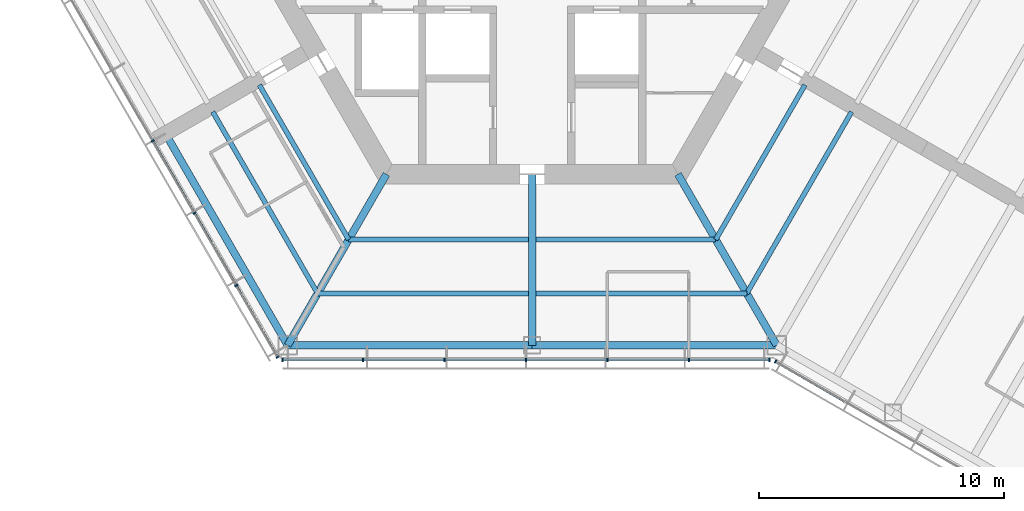
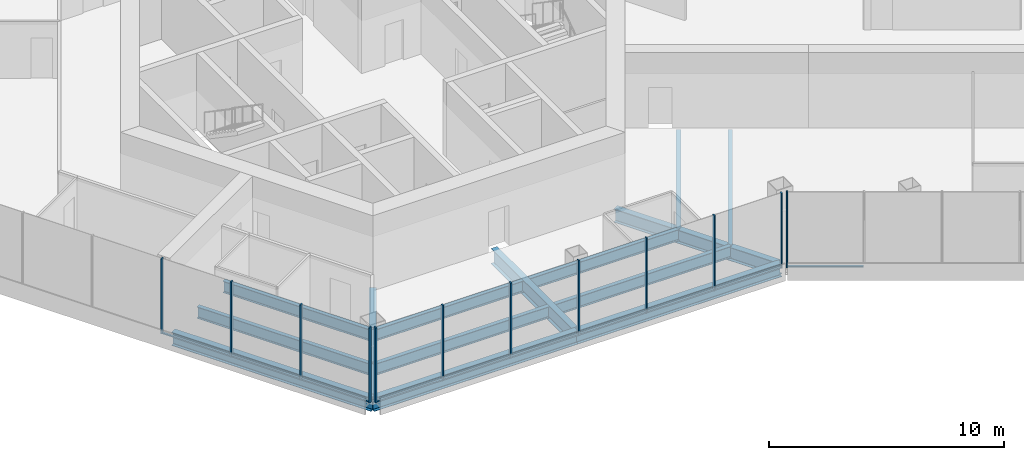
# One storey, part 2 of 15: 22 members, 14 beams, 3 elements without a shape of their own.
"""IFC4 building model written with IfcOpenShell, lengths in metres."""

from ifc_helpers import new_model, si_unit, direction, frame, origin, origin_2d, place, context, subcontext, project, spatial, rectangle, i_section, extrude, material, material_profile, profile_set, type_object, element, aggregate, save


model = new_model("IFC4")

# Units and contexts
model_context = context("Model", 3, precision=1e-05, world=origin(), true_north=direction((0.0, 1.0)))
body_context = subcontext(model_context, "Body", "Model", "MODEL_VIEW")
ifc_project = project(units=[si_unit("LENGTHUNIT", "METRE"), si_unit("AREAUNIT", "SQUARE_METRE"), si_unit("VOLUMEUNIT", "CUBIC_METRE"), si_unit("PLANEANGLEUNIT", "RADIAN"), si_unit("MASSUNIT", "GRAM", prefix="KILO")], contexts=[model_context])

# Site, building, storey
site_placement = place(None, origin())
site = spatial("IfcSite", under=ifc_project, at=site_placement, CompositionType="ELEMENT")
building_placement = place(site_placement, origin())
building = spatial("IfcBuilding", under=site, at=building_placement, Name="Kasaneha Research Tower", CompositionType="ELEMENT")
storey_placement = place(building_placement, frame((0.0, 0.0, 236.199951171875)))
storey = spatial("IfcBuildingStorey", under=building, at=storey_placement, Name="L59", CompositionType="ELEMENT", Elevation=236.199951171875)

# Beams
ifc_material_1 = material(Name="Steel SN490B", Category="steel")
ifc_material_profile_1 = material_profile(ifc_material_1, i_section(OverallWidth=0.199951171875, OverallDepth=0.60009765625, WebThickness=0.010986328125, FlangeThickness=0.01708984375, FilletRadius=0.012939453125, at=origin_2d()), Name="H-600x200x11x17")
ifc_profile_set_1 = profile_set([ifc_material_profile_1], Name="Steel SN490B")
beam_type_1 = type_object("IfcBeamType", Name="B1-3 secondary beam H-600x200x11x17", PredefinedType="JOIST", material=ifc_profile_set_1)
beam_1_placement = place(storey_placement, frame((-7.505615234375, -13.0, -0.449951171875), z_axis=(-0.499999192304, 0.866025870108, 0.0), x_axis=(-0.866025870108, -0.499999192304, 0.0)))
element("IfcBeam", 1, at=beam_1_placement, inside=storey, type_object=beam_type_1, Name="Secondary beam RS210R1 L59", PredefinedType="JOIST", context=body_context, shape_type="SweptSolid", body=[
    extrude(i_section(OverallWidth=0.199951171875, OverallDepth=0.60009765625, WebThickness=0.010986328125, FlangeThickness=0.01708984375, FilletRadius=0.012939453125, at=origin_2d()), origin(), (0.0, 0.0, 1.0), 7.3056640625),
])
beam_2_placement = place(storey_placement, frame((-8.775634765625, -15.199951171875, -0.449951171875), z_axis=(-0.500000102728, 0.866025344474, 0.0), x_axis=(-0.866025344474, -0.500000102728, 0.0)))
element("IfcBeam", 2, at=beam_2_placement, inside=storey, type_object=beam_type_1, Name="Secondary beam RS210R2 L59", PredefinedType="JOIST", context=body_context, shape_type="SweptSolid", body=[
    extrude(i_section(OverallWidth=0.199951171875, OverallDepth=0.60009765625, WebThickness=0.010986328125, FlangeThickness=0.01708984375, FilletRadius=0.012939453125, at=origin_2d()), origin(), (0.0, 0.0, 1.0), 8.57568359375),
])
beam_3_placement = place(storey_placement, frame((-7.505615234375, -13.0, -0.449951171875), z_axis=(1.0, 0.0, 0.0), x_axis=(0.0, 1.0, 0.0)))
element("IfcBeam", 3, at=beam_3_placement, inside=storey, type_object=beam_type_1, Name="Secondary beam RS270L1 L59", PredefinedType="JOIST", context=body_context, shape_type="SweptSolid", body=[
    extrude(i_section(OverallWidth=0.199951171875, OverallDepth=0.60009765625, WebThickness=0.010986328125, FlangeThickness=0.01708984375, FilletRadius=0.012939453125, at=origin_2d()), origin(), (0.0, 0.0, 1.0), 7.355712890625),
])
beam_4_placement = place(storey_placement, frame((-8.775634765625, -15.199951171875, -0.449951171875), z_axis=(1.0, 0.0, 0.0), x_axis=(0.0, 1.0, 0.0)))
element("IfcBeam", 4, at=beam_4_placement, inside=storey, type_object=beam_type_1, Name="Secondary beam RS270L2 L59", PredefinedType="JOIST", context=body_context, shape_type="SweptSolid", body=[
    extrude(i_section(OverallWidth=0.199951171875, OverallDepth=0.60009765625, WebThickness=0.010986328125, FlangeThickness=0.01708984375, FilletRadius=0.012939453125, at=origin_2d()), origin(), (0.0, 0.0, 1.0), 8.625732421875),
])
beam_5_placement = place(storey_placement, frame((7.505615234375, -13.0, -0.449951171875), z_axis=(-1.0, 0.0, 0.0), x_axis=(0.0, -1.0, 0.0)))
element("IfcBeam", 5, at=beam_5_placement, inside=storey, type_object=beam_type_1, Name="Secondary beam RS270R1 L59", PredefinedType="JOIST", context=body_context, shape_type="SweptSolid", body=[
    extrude(i_section(OverallWidth=0.199951171875, OverallDepth=0.60009765625, WebThickness=0.010986328125, FlangeThickness=0.01708984375, FilletRadius=0.012939453125, at=origin_2d()), origin(), (0.0, 0.0, 1.0), 7.355712890625),
])
beam_6_placement = place(storey_placement, frame((8.775634765625, -15.199951171875, -0.449951171875), z_axis=(-1.0, 0.0, 0.0), x_axis=(0.0, -1.0, 0.0)))
element("IfcBeam", 6, at=beam_6_placement, inside=storey, type_object=beam_type_1, Name="Secondary beam RS270R2 L59", PredefinedType="JOIST", context=body_context, shape_type="SweptSolid", body=[
    extrude(i_section(OverallWidth=0.199951171875, OverallDepth=0.60009765625, WebThickness=0.010986328125, FlangeThickness=0.01708984375, FilletRadius=0.012939453125, at=origin_2d()), origin(), (0.0, 0.0, 1.0), 8.625732421875),
])
beam_7_placement = place(storey_placement, frame((7.505615234375, -13.0, -0.449951171875), z_axis=(0.499999192304, 0.866025870108, 0.0), x_axis=(-0.866025870108, 0.499999192304, 0.0)))
element("IfcBeam", 7, at=beam_7_placement, inside=storey, type_object=beam_type_1, Name="Secondary beam RS330L1 L59", PredefinedType="JOIST", context=body_context, shape_type="SweptSolid", body=[
    extrude(i_section(OverallWidth=0.199951171875, OverallDepth=0.60009765625, WebThickness=0.010986328125, FlangeThickness=0.01708984375, FilletRadius=0.012939453125, at=origin_2d()), origin(), (0.0, 0.0, 1.0), 7.3056640625),
])
beam_8_placement = place(storey_placement, frame((8.775634765625, -15.199951171875, -0.449951171875), z_axis=(0.500000102728, 0.866025344474, 0.0), x_axis=(-0.866025344474, 0.500000102728, 0.0)))
element("IfcBeam", 8, at=beam_8_placement, inside=storey, type_object=beam_type_1, Name="Secondary beam RS330L2 L59", PredefinedType="JOIST", context=body_context, shape_type="SweptSolid", body=[
    extrude(i_section(OverallWidth=0.199951171875, OverallDepth=0.60009765625, WebThickness=0.010986328125, FlangeThickness=0.01708984375, FilletRadius=0.012939453125, at=origin_2d()), origin(), (0.0, 0.0, 1.0), 8.57568359375),
])

# Curtain wall, members
ifc_material_2 = material(Name="Glass and aluminium", Category="aluminium")
curtain_wall_type = type_object("IfcCurtainWallType", Name="High-rise office curtain wall", PredefinedType="USERDEFINED", material=ifc_material_2)
curtain_wall_1_placement = place(storey_placement, origin())
curtain_wall_1 = element("IfcCurtainWall", 9, at=curtain_wall_1_placement, inside=storey, type_object=curtain_wall_type, Name="CW-O3 L59 run 04a", ObjectType="UNITISED CURTAIN WALL", PredefinedType="USERDEFINED")
ifc_material_3 = material(Name="Aluminium 6063-T6", Category="aluminium")
ifc_material_profile_2 = material_profile(ifc_material_3, rectangle(XDim=0.06005859375, YDim=0.139892578125, at=origin_2d()), Name="CW-O3 mullion 60x140")
ifc_profile_set_2 = profile_set([ifc_material_profile_2], Name="Aluminium 6063-T6")
member_type_1 = type_object("IfcMemberType", Name="CW-O3 mullion", PredefinedType="MULLION", material=ifc_profile_set_2)
member_1_placement = place(storey_placement, frame((-15.51953125, -8.960205078125, 0.0), z_axis=(0.0, 0.0, 1.0), x_axis=(0.499999995722, -0.866025406254, 0.0)))
member_1 = element("IfcMember", 10, at=member_1_placement, type_object=member_type_1, Name="CW-O3 mullion 4", PredefinedType="MULLION", context=body_context, shape_type="SweptSolid", body=[
    extrude(rectangle(XDim=0.06005859375, YDim=0.139892578125, at=origin_2d()), origin(), (0.0, 0.0, 1.0), 3.900146484375),
])
member_2_placement = place(storey_placement, frame((-13.811767578125, -11.918212890625, 0.0), z_axis=(0.0, 0.0, 1.0), x_axis=(0.499999995722, -0.866025406254, 0.0)))
member_2 = element("IfcMember", 11, at=member_2_placement, type_object=member_type_1, Name="CW-O3 mullion 5", PredefinedType="MULLION", context=body_context, shape_type="SweptSolid", body=[
    extrude(rectangle(XDim=0.06005859375, YDim=0.139892578125, at=origin_2d()), origin(), (0.0, 0.0, 1.0), 3.900146484375),
])
member_3_placement = place(storey_placement, frame((-12.104248046875, -14.8759765625, 0.0), z_axis=(0.0, 0.0, 1.0), x_axis=(0.499999995722, -0.866025406254, 0.0)))
member_3 = element("IfcMember", 12, at=member_3_placement, type_object=member_type_1, Name="CW-O3 mullion 6", PredefinedType="MULLION", context=body_context, shape_type="SweptSolid", body=[
    extrude(rectangle(XDim=0.06005859375, YDim=0.139892578125, at=origin_2d()), origin(), (0.0, 0.0, 1.0), 3.900146484375),
])
member_4_placement = place(storey_placement, frame((-10.411376953125, -17.807861328125, 0.0), z_axis=(0.0, 0.0, 1.0), x_axis=(0.499999995722, -0.866025406254, 0.0)))
member_4 = element("IfcMember", 13, at=member_4_placement, type_object=member_type_1, Name="CW-O3 mullion 7", PredefinedType="MULLION", context=body_context, shape_type="SweptSolid", body=[
    extrude(rectangle(XDim=0.06005859375, YDim=0.139892578125, at=origin_2d()), origin(), (0.0, 0.0, 1.0), 3.900146484375),
])

curtain_wall_2_placement = place(storey_placement, origin())
curtain_wall_2 = element("IfcCurtainWall", 14, at=curtain_wall_2_placement, inside=storey, type_object=curtain_wall_type, Name="CW-O3 L59 run 05a", ObjectType="UNITISED CURTAIN WALL", PredefinedType="USERDEFINED")
member_5_placement = place(storey_placement, frame((-10.21630859375, -17.92041015625, 0.0), z_axis=(0.0, 0.0, 1.0), x_axis=(1.0, 0.0, 0.0)))
member_5 = element("IfcMember", 15, at=member_5_placement, type_object=member_type_1, Name="CW-O3 mullion 1", PredefinedType="MULLION", context=body_context, shape_type="SweptSolid", body=[
    extrude(rectangle(XDim=0.06005859375, YDim=0.139892578125, at=origin_2d()), origin(), (0.0, 0.0, 1.0), 3.900146484375),
])
member_6_placement = place(storey_placement, frame((-6.91552734375, -17.92041015625, 0.0), z_axis=(0.0, 0.0, 1.0), x_axis=(1.0, 0.0, 0.0)))
member_6 = element("IfcMember", 16, at=member_6_placement, type_object=member_type_1, Name="CW-O3 mullion 2", PredefinedType="MULLION", context=body_context, shape_type="SweptSolid", body=[
    extrude(rectangle(XDim=0.06005859375, YDim=0.139892578125, at=origin_2d()), origin(), (0.0, 0.0, 1.0), 3.900146484375),
])
member_7_placement = place(storey_placement, frame((-3.58447265625, -17.92041015625, 0.0), z_axis=(0.0, 0.0, 1.0), x_axis=(1.0, 0.0, 0.0)))
member_7 = element("IfcMember", 17, at=member_7_placement, type_object=member_type_1, Name="CW-O3 mullion 3", PredefinedType="MULLION", context=body_context, shape_type="SweptSolid", body=[
    extrude(rectangle(XDim=0.06005859375, YDim=0.139892578125, at=origin_2d()), origin(), (0.0, 0.0, 1.0), 3.900146484375),
])
member_8_placement = place(storey_placement, frame((-0.253662109375, -17.92041015625, 0.0), z_axis=(0.0, 0.0, 1.0), x_axis=(1.0, 0.0, 0.0)))
member_8 = element("IfcMember", 18, at=member_8_placement, type_object=member_type_1, Name="CW-O3 mullion 4", PredefinedType="MULLION", context=body_context, shape_type="SweptSolid", body=[
    extrude(rectangle(XDim=0.06005859375, YDim=0.139892578125, at=origin_2d()), origin(), (0.0, 0.0, 1.0), 3.900146484375),
])
member_9_placement = place(storey_placement, frame((3.077392578125, -17.92041015625, 0.0), z_axis=(0.0, 0.0, 1.0), x_axis=(1.0, 0.0, 0.0)))
member_9 = element("IfcMember", 19, at=member_9_placement, type_object=member_type_1, Name="CW-O3 mullion 5", PredefinedType="MULLION", context=body_context, shape_type="SweptSolid", body=[
    extrude(rectangle(XDim=0.06005859375, YDim=0.139892578125, at=origin_2d()), origin(), (0.0, 0.0, 1.0), 3.900146484375),
])
member_10_placement = place(storey_placement, frame((6.408203125, -17.92041015625, 0.0), z_axis=(0.0, 0.0, 1.0), x_axis=(1.0, 0.0, 0.0)))
member_10 = element("IfcMember", 20, at=member_10_placement, type_object=member_type_1, Name="CW-O3 mullion 6", PredefinedType="MULLION", context=body_context, shape_type="SweptSolid", body=[
    extrude(rectangle(XDim=0.06005859375, YDim=0.139892578125, at=origin_2d()), origin(), (0.0, 0.0, 1.0), 3.900146484375),
])
member_11_placement = place(storey_placement, frame((9.709228515625, -17.92041015625, 0.0), z_axis=(0.0, 0.0, 1.0), x_axis=(1.0, 0.0, 0.0)))
member_11 = element("IfcMember", 21, at=member_11_placement, type_object=member_type_1, Name="CW-O3 mullion 7", PredefinedType="MULLION", context=body_context, shape_type="SweptSolid", body=[
    extrude(rectangle(XDim=0.06005859375, YDim=0.139892578125, at=origin_2d()), origin(), (0.0, 0.0, 1.0), 3.900146484375),
])

# Curtain wall, member
curtain_wall_3_placement = place(storey_placement, origin())
curtain_wall_3 = element("IfcCurtainWall", 22, at=curtain_wall_3_placement, inside=storey, type_object=curtain_wall_type, Name="CW-O3 L59 run 06a", ObjectType="UNITISED CURTAIN WALL", PredefinedType="USERDEFINED")
member_12_placement = place(storey_placement, frame((9.951904296875, -17.985595703125, 0.0), z_axis=(0.0, 0.0, 1.0), x_axis=(0.866025411464, -0.499999986699, 0.0)))
member_12 = element("IfcMember", 23, at=member_12_placement, type_object=member_type_1, Name="CW-O3 mullion 1", PredefinedType="MULLION", context=body_context, shape_type="SweptSolid", body=[
    extrude(rectangle(XDim=0.06005859375, YDim=0.139892578125, at=origin_2d()), origin(), (0.0, 0.0, 1.0), 3.900146484375),
])

# Member
ifc_material_4 = material(Name="Aluminium 6063-T6", Category="aluminium")
ifc_material_profile_3 = material_profile(ifc_material_4, rectangle(XDim=0.10009765625, YDim=0.06005859375, at=origin_2d()), Name="CW-O3 transom 100x60")
ifc_profile_set_3 = profile_set([ifc_material_profile_3], Name="Aluminium 6063-T6")
member_type_2 = type_object("IfcMemberType", Name="CW-O3 transom", PredefinedType="USERDEFINED", material=ifc_profile_set_3)
member_13_placement = place(storey_placement, frame((-15.504638671875, -8.986328125, 0.030029296875), z_axis=(0.500020578564, -0.866013522419, 0.0), x_axis=(0.866013522419, 0.500020578564, 0.0)))
member_13 = element("IfcMember", 24, at=member_13_placement, type_object=member_type_2, Name="CW-O3 transom 4", ObjectType="TRANSOM", PredefinedType="USERDEFINED", context=body_context, shape_type="SweptSolid", body=[
    extrude(rectangle(XDim=0.10009765625, YDim=0.06005859375, at=origin_2d()), origin(), (0.0, 0.0, 1.0), 3.355224609375),
])

member_14_placement = place(storey_placement, frame((-13.796875, -11.944091796875, 0.030029296875), z_axis=(0.499989072476, -0.866031712701, 0.0), x_axis=(0.866031712701, 0.499989072476, 0.0)))
member_14 = element("IfcMember", 25, at=member_14_placement, type_object=member_type_2, Name="CW-O3 transom 5", ObjectType="TRANSOM", PredefinedType="USERDEFINED", context=body_context, shape_type="SweptSolid", body=[
    extrude(rectangle(XDim=0.10009765625, YDim=0.06005859375, at=origin_2d()), origin(), (0.0, 0.0, 1.0), 3.35546875),
])

member_15_placement = place(storey_placement, frame((-12.089111328125, -14.902099609375, 0.030029296875), z_axis=(0.49997666526, -0.866038875684, 0.0), x_axis=(0.866038875684, 0.49997666526, 0.0)))
member_15 = element("IfcMember", 26, at=member_15_placement, type_object=member_type_2, Name="CW-O3 transom 6", ObjectType="TRANSOM", PredefinedType="USERDEFINED", context=body_context, shape_type="SweptSolid", body=[
    extrude(rectangle(XDim=0.10009765625, YDim=0.06005859375, at=origin_2d()), origin(), (0.0, 0.0, 1.0), 3.325439453125),
])

aggregate(curtain_wall_1, [member_1, member_2, member_3, member_4, member_13, member_14, member_15])

member_16_placement = place(storey_placement, frame((-10.1865234375, -17.92041015625, 0.030029296875), z_axis=(1.0, 0.0, 0.0), x_axis=(0.0, 1.0, 0.0)))
member_16 = element("IfcMember", 27, at=member_16_placement, type_object=member_type_2, Name="CW-O3 transom 1", ObjectType="TRANSOM", PredefinedType="USERDEFINED", context=body_context, shape_type="SweptSolid", body=[
    extrude(rectangle(XDim=0.10009765625, YDim=0.06005859375, at=origin_2d()), origin(), (0.0, 0.0, 1.0), 3.240966796875),
])

member_17_placement = place(storey_placement, frame((-6.885498046875, -17.92041015625, 0.030029296875), z_axis=(1.0, 0.0, 0.0), x_axis=(0.0, 1.0, 0.0)))
member_17 = element("IfcMember", 28, at=member_17_placement, type_object=member_type_2, Name="CW-O3 transom 2", ObjectType="TRANSOM", PredefinedType="USERDEFINED", context=body_context, shape_type="SweptSolid", body=[
    extrude(rectangle(XDim=0.10009765625, YDim=0.06005859375, at=origin_2d()), origin(), (0.0, 0.0, 1.0), 3.27099609375),
])

member_18_placement = place(storey_placement, frame((-3.554443359375, -17.92041015625, 0.030029296875), z_axis=(1.0, 0.0, 0.0), x_axis=(0.0, 1.0, 0.0)))
member_18 = element("IfcMember", 29, at=member_18_placement, type_object=member_type_2, Name="CW-O3 transom 3", ObjectType="TRANSOM", PredefinedType="USERDEFINED", context=body_context, shape_type="SweptSolid", body=[
    extrude(rectangle(XDim=0.10009765625, YDim=0.06005859375, at=origin_2d()), origin(), (0.0, 0.0, 1.0), 3.270751953125),
])

member_19_placement = place(storey_placement, frame((-0.2236328125, -17.92041015625, 0.030029296875), z_axis=(1.0, 0.0, 0.0), x_axis=(0.0, 1.0, 0.0)))
member_19 = element("IfcMember", 30, at=member_19_placement, type_object=member_type_2, Name="CW-O3 transom 4", ObjectType="TRANSOM", PredefinedType="USERDEFINED", context=body_context, shape_type="SweptSolid", body=[
    extrude(rectangle(XDim=0.10009765625, YDim=0.06005859375, at=origin_2d()), origin(), (0.0, 0.0, 1.0), 3.27099609375),
])

member_20_placement = place(storey_placement, frame((3.107421875, -17.92041015625, 0.030029296875), z_axis=(1.0, 0.0, 0.0), x_axis=(0.0, 1.0, 0.0)))
member_20 = element("IfcMember", 31, at=member_20_placement, type_object=member_type_2, Name="CW-O3 transom 5", ObjectType="TRANSOM", PredefinedType="USERDEFINED", context=body_context, shape_type="SweptSolid", body=[
    extrude(rectangle(XDim=0.10009765625, YDim=0.06005859375, at=origin_2d()), origin(), (0.0, 0.0, 1.0), 3.270751953125),
])

member_21_placement = place(storey_placement, frame((6.438232421875, -17.92041015625, 0.030029296875), z_axis=(1.0, 0.0, 0.0), x_axis=(0.0, 1.0, 0.0)))
member_21 = element("IfcMember", 32, at=member_21_placement, type_object=member_type_2, Name="CW-O3 transom 6", ObjectType="TRANSOM", PredefinedType="USERDEFINED", context=body_context, shape_type="SweptSolid", body=[
    extrude(rectangle(XDim=0.10009765625, YDim=0.06005859375, at=origin_2d()), origin(), (0.0, 0.0, 1.0), 3.240966796875),
])

aggregate(curtain_wall_2, [member_5, member_6, member_7, member_8, member_9, member_10, member_11, member_16, member_17, member_18, member_19, member_20, member_21])

member_22_placement = place(storey_placement, frame((9.977783203125, -18.00048828125, 0.030029296875), z_axis=(0.866022692473, -0.500004696101, 0.0), x_axis=(0.500004696101, 0.866022692473, 0.0)))
member_22 = element("IfcMember", 33, at=member_22_placement, type_object=member_type_2, Name="CW-O3 transom 1", ObjectType="TRANSOM", PredefinedType="USERDEFINED", context=body_context, shape_type="SweptSolid", body=[
    extrude(rectangle(XDim=0.10009765625, YDim=0.06005859375, at=origin_2d()), origin(), (0.0, 0.0, 1.0), 3.2197265625),
])

aggregate(curtain_wall_3, [member_12, member_22])

# Beams
ifc_material_5 = material(Name="Steel SN490B", Category="steel")
ifc_material_profile_4 = material_profile(ifc_material_5, i_section(OverallWidth=0.300048828125, OverallDepth=0.699951171875, WebThickness=0.012939453125, FlangeThickness=0.02392578125, FilletRadius=0.01806640625, at=origin_2d()), Name="H-700x300x13x24")
ifc_profile_set_4 = profile_set([ifc_material_profile_4], Name="Steel SN490B")
beam_type_2 = type_object("IfcBeamType", Name="G1-3 radial girder H-700x300x13x24", PredefinedType="BEAM", material=ifc_profile_set_4)
for number, where, z_axis, x_axis, name in (
    (34, (-5.961181640625, -10.324951171875, -0.5), (-0.49999105496, -0.866030568144, 0.0), (0.866030568144, -0.49999105496, 0.0), "Radial girder RV240 L59"),
    (35, (5.961181640625, -10.324951171875, -0.5), (0.49999105496, -0.866030568144, 0.0), (0.866030568144, 0.49999105496, 0.0), "Radial girder RV300 L59"),
):
    element("IfcBeam", number, at=place(storey_placement, frame(where, z_axis=z_axis, x_axis=x_axis)), inside=storey, type_object=beam_type_2, Name=name, PredefinedType="BEAM", context=body_context, shape_type="SweptSolid", body=[
        extrude(i_section(OverallWidth=0.300048828125, OverallDepth=0.699951171875, WebThickness=0.012939453125, FlangeThickness=0.02392578125, FilletRadius=0.01806640625, at=origin_2d()), origin(), (0.0, 0.0, 1.0), 8.077880859375),
    ])
ifc_material_6 = material(Name="Steel SN490B", Category="steel")
ifc_material_profile_5 = material_profile(ifc_material_6, i_section(OverallWidth=0.300048828125, OverallDepth=0.800048828125, WebThickness=0.013916015625, FlangeThickness=0.02587890625, FilletRadius=0.01806640625, at=origin_2d()), Name="H-800x300x14x26")
ifc_profile_set_5 = profile_set([ifc_material_profile_5], Name="Steel SN490B")
beam_type_3 = type_object("IfcBeamType", Name="G2-3 radial girder H-800x300x14x26", PredefinedType="BEAM", material=ifc_profile_set_5)
beam_9_placement = place(storey_placement, frame((0.0, -10.324951171875, -0.550048828125), z_axis=(0.0, -1.0, 0.0), x_axis=(1.0, 0.0, 0.0)))
element("IfcBeam", 36, at=beam_9_placement, inside=storey, type_object=beam_type_3, Name="Radial girder RM270 L59", PredefinedType="BEAM", context=body_context, shape_type="SweptSolid", body=[
    extrude(i_section(OverallWidth=0.300048828125, OverallDepth=0.800048828125, WebThickness=0.013916015625, FlangeThickness=0.02587890625, FilletRadius=0.01806640625, at=origin_2d()), origin(), (0.0, 0.0, 1.0), 6.99560546875),
])
ifc_material_7 = material(Name="Steel SN490B", Category="steel")
ifc_material_profile_6 = material_profile(ifc_material_7, i_section(OverallWidth=0.300048828125, OverallDepth=0.69189453125, WebThickness=0.012939453125, FlangeThickness=0.02001953125, FilletRadius=0.01806640625, at=origin_2d()), Name="H-692x300x13x20")
ifc_profile_set_6 = profile_set([ifc_material_profile_6], Name="Steel SN490B")
beam_type_4 = type_object("IfcBeamType", Name="G3-3 plate edge girder H-692x300x13x20", PredefinedType="BEAM", material=ifc_profile_set_6)
beam_10_placement = place(storey_placement, frame((-10.0, -17.320556640625, -0.495849609375), z_axis=(-0.49999201416, 0.866030014362, 0.0), x_axis=(-0.866030014362, -0.49999201416, 0.0)))
element("IfcBeam", 37, at=beam_10_placement, inside=storey, type_object=beam_type_4, Name="Plate edge girder PEBN L59", PredefinedType="BEAM", context=body_context, shape_type="SweptSolid", body=[
    extrude(i_section(OverallWidth=0.300048828125, OverallDepth=0.69189453125, WebThickness=0.012939453125, FlangeThickness=0.02001953125, FilletRadius=0.01806640625, at=origin_2d()), origin(), (0.0, 0.0, 1.0), 9.800048828125),
])
ifc_material_8 = material(Name="Steel SN490B", Category="steel")
ifc_material_profile_7 = material_profile(ifc_material_8, i_section(OverallWidth=0.300048828125, OverallDepth=0.69189453125, WebThickness=0.012939453125, FlangeThickness=0.02001953125, FilletRadius=0.01806640625, at=origin_2d()), Name="H-692x300x13x20")
ifc_profile_set_7 = profile_set([ifc_material_profile_7], Name="Steel SN490B")
beam_type_5 = type_object("IfcBeamType", Name="SB1-3 spandrel beam H-692x300x13x20", PredefinedType="SPANDREL", material=ifc_profile_set_7)
for number, where, z_axis, x_axis, name in (
    (38, (-10.0, -17.320556640625, -0.495849609375), (1.0, 0.0, 0.0), (0.0, 1.0, 0.0), "Spandrel beam SR270L L59"),
    (39, (10.0, -17.320556640625, -0.495849609375), (-1.0, 0.0, 0.0), (0.0, -1.0, 0.0), "Spandrel beam SR270R L59"),
):
    element("IfcBeam", number, at=place(storey_placement, frame(where, z_axis=z_axis, x_axis=x_axis)), inside=storey, type_object=beam_type_5, Name=name, PredefinedType="SPANDREL", context=body_context, shape_type="SweptSolid", body=[
        extrude(i_section(OverallWidth=0.300048828125, OverallDepth=0.69189453125, WebThickness=0.012939453125, FlangeThickness=0.02001953125, FilletRadius=0.01806640625, at=origin_2d()), origin(), (0.0, 0.0, 1.0), 10.0),
    ])

save(model, "model.ifc")
